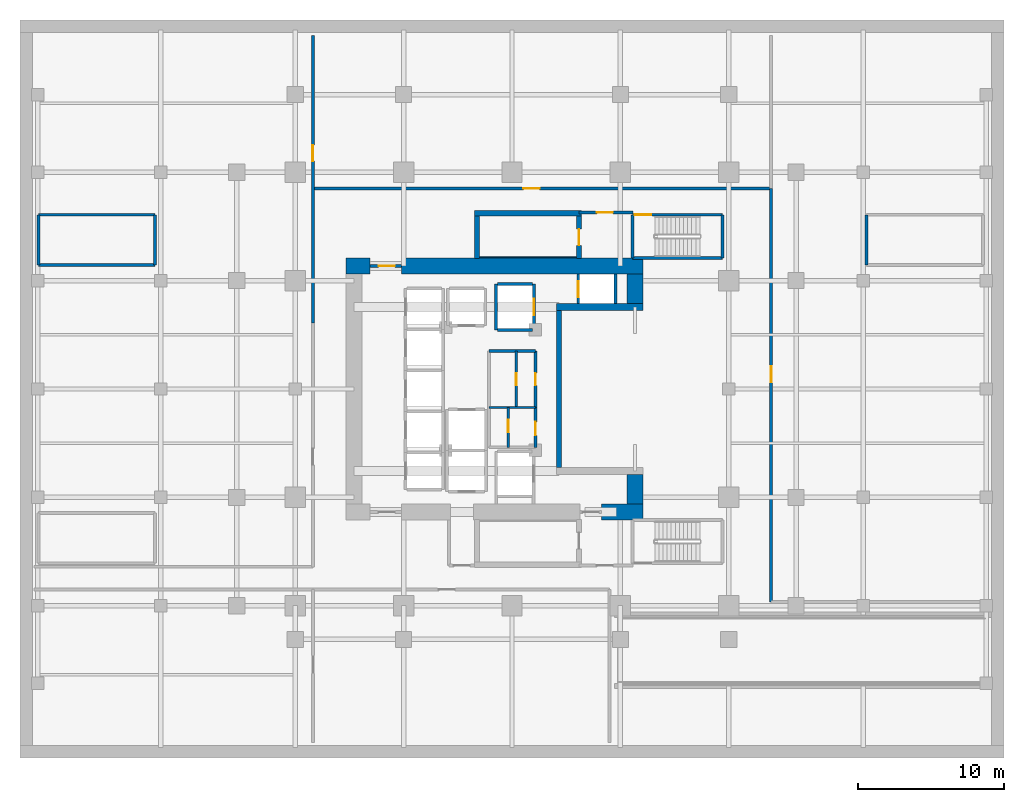
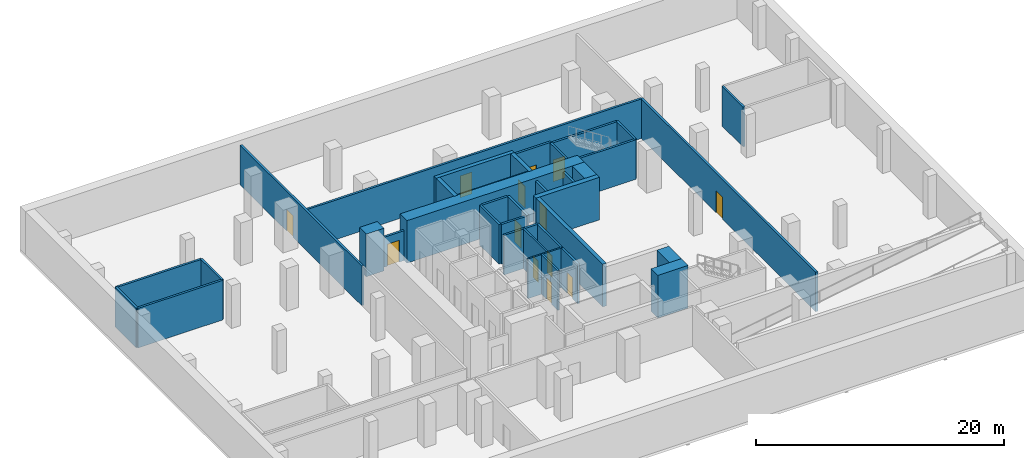
# One storey, part 5 of 7: 37 walls, 13 doors, 13 openings.
"""IFC4 building model written with IfcOpenShell, lengths in metres."""

from ifc_helpers import new_model, si_unit, direction, frame, frame_2d, origin, place, context, subcontext, project, spatial, rectangle, extrude, material, layer, layer_set, type_object, element, fill, save


model = new_model("IFC4")

# Units and contexts
model_context = context("Model", 3, precision=1e-05, world=origin(), true_north=direction((0.0, 1.0)))
body_context = subcontext(model_context, "Body", "Model", "MODEL_VIEW")
ifc_project = project(units=[si_unit("LENGTHUNIT", "METRE"), si_unit("AREAUNIT", "SQUARE_METRE"), si_unit("VOLUMEUNIT", "CUBIC_METRE"), si_unit("PLANEANGLEUNIT", "RADIAN"), si_unit("MASSUNIT", "GRAM", prefix="KILO")], contexts=[model_context])

# Site, building, storey
site_placement = place(None, origin())
site = spatial("IfcSite", under=ifc_project, at=site_placement, CompositionType="ELEMENT")
building_placement = place(site_placement, origin())
building = spatial("IfcBuilding", under=site, at=building_placement, Name="Khorvyn Point Tower", CompositionType="ELEMENT")
storey_placement = place(building_placement, frame((0.0, 0.0, -4.199951171875)))
storey = spatial("IfcBuildingStorey", under=building, at=storey_placement, Name="B1", CompositionType="ELEMENT", Elevation=-4.199951171875)

# Wall, opening, door
ifc_material_1 = material(Name="Concrete C35/45 masonry blockwork", Category="masonry")
ifc_layer_1 = layer(ifc_material_1, 0.199951171875)
ifc_layer_set_1 = layer_set([ifc_layer_1], Name="Concrete C35/45 Blockwork Plant Compartment Wall 200")
wall_type_1 = type_object("IfcWallType", Name="Concrete C35/45 Blockwork Plant Compartment Wall 200", PredefinedType="SOLIDWALL", material=ifc_layer_set_1)
wall_1_placement = place(storey_placement, frame((-13.60009765625, 4.5, 0.0), z_axis=(0.0, 0.0, 1.0), x_axis=(0.0, 1.0, 0.0)))
wall_1 = element("IfcWall", 1, at=wall_1_placement, inside=storey, type_object=wall_type_1, Name="Wall", PredefinedType="SOLIDWALL", context=body_context, shape_type="SweptSolid", body=[
    extrude(rectangle(XDim=19.64990234375, YDim=0.199951171875, at=frame_2d((9.824951171875, 0.0))), origin(), (0.0, 0.0, 1.0), 3.89990234375),
])
opening_1_placement = place(wall_1_placement, frame((11.062255859375, 0.0, 0.0)))
opening_1 = element("IfcOpeningElement", 2, at=opening_1_placement, cuts=wall_1, Name="Opening ID-FL90", PredefinedType="OPENING", context=body_context, shape_type="SweptSolid", body=[
    extrude(rectangle(XDim=1.10009765625, YDim=2.14990234375, at=frame_2d((0.550048828125, 1.074951171875))), frame((0.0, 0.10986328125, 0.0), z_axis=(0.0, -1.0, 0.0), x_axis=(1.0, 0.0, 0.0)), (0.0, 0.0, 1.0), 0.219970703125),
])
ifc_material_2 = material(Name="Galvanised powder-coated steel", Category="steel")
door_type_1 = type_object("IfcDoorType", Name="Fire-Rated Steel Lobby and Stair Door 1100x2150", OperationType="NOTDEFINED", PredefinedType="DOOR", material=ifc_material_2)
door_1_placement = place(opening_1_placement, origin())
door_1 = element("IfcDoor", 3, at=door_1_placement, inside=storey, type_object=door_type_1, Name="Door", OperationType="SINGLE_SWING_LEFT", OverallHeight=2.14990234375, OverallWidth=1.10009765625, PredefinedType="DOOR", context=body_context, shape_type="SweptSolid", body=[
    extrude(rectangle(XDim=1.10009765625, YDim=2.14990234375, at=frame_2d((0.550048828125, 1.074951171875))), frame((0.0, 0.02490234375, 0.0), z_axis=(0.0, -1.0, 0.0), x_axis=(1.0, 0.0, 0.0)), (0.0, 0.0, 1.0), 0.050048828125),
])
fill(opening_1, door_1)

wall_2_placement = place(storey_placement, frame((-13.60009765625, 13.699951171875, 0.0), z_axis=(0.0, 0.0, 1.0), x_axis=(1.0, 0.0, 0.0)))
wall_2 = element("IfcWall", 4, at=wall_2_placement, inside=storey, type_object=wall_type_1, Name="Wall", PredefinedType="SOLIDWALL", context=body_context, shape_type="SweptSolid", body=[
    extrude(rectangle(XDim=31.300048828125, YDim=0.199951171875, at=frame_2d((15.64990234375, 0.0))), origin(), (0.0, 0.0, 1.0), 3.89990234375),
])
opening_2_placement = place(wall_2_placement, frame((14.3798828125, 0.0, 0.0)))
opening_2 = element("IfcOpeningElement", 5, at=opening_2_placement, cuts=wall_2, Name="Opening ID-FL90", PredefinedType="OPENING", context=body_context, shape_type="SweptSolid", body=[
    extrude(rectangle(XDim=1.10009765625, YDim=2.14990234375, at=frame_2d((0.550048828125, 1.074951171875))), frame((0.0, 0.10986328125, 0.0), z_axis=(0.0, -1.0, 0.0), x_axis=(1.0, 0.0, 0.0)), (0.0, 0.0, 1.0), 0.219970703125),
])
door_2_placement = place(opening_2_placement, origin())
door_2 = element("IfcDoor", 6, at=door_2_placement, inside=storey, type_object=door_type_1, Name="Door", OperationType="SINGLE_SWING_RIGHT", OverallHeight=2.14990234375, OverallWidth=1.10009765625, PredefinedType="DOOR", context=body_context, shape_type="SweptSolid", body=[
    extrude(rectangle(XDim=1.10009765625, YDim=2.14990234375, at=frame_2d((0.550048828125, 1.074951171875))), frame((0.0, 0.02490234375, 0.0), z_axis=(0.0, -1.0, 0.0), x_axis=(1.0, 0.0, 0.0)), (0.0, 0.0, 1.0), 0.050048828125),
])
fill(opening_2, door_2)

wall_3_placement = place(storey_placement, frame((17.699951171875, -14.550048828125, 0.0), z_axis=(0.0, 0.0, 1.0), x_axis=(0.0, 1.0, 0.0)))
wall_3 = element("IfcWall", 7, at=wall_3_placement, inside=storey, type_object=wall_type_1, Name="Wall", PredefinedType="SOLIDWALL", context=body_context, shape_type="SweptSolid", body=[
    extrude(rectangle(XDim=28.25, YDim=0.199951171875, at=frame_2d((14.125, 0.0))), origin(), (0.0, 0.0, 1.0), 3.89990234375),
])
opening_3_placement = place(wall_3_placement, frame((15.005859375, 0.0, 0.0)))
opening_3 = element("IfcOpeningElement", 8, at=opening_3_placement, cuts=wall_3, Name="Opening ID-FL90", PredefinedType="OPENING", context=body_context, shape_type="SweptSolid", body=[
    extrude(rectangle(XDim=1.10009765625, YDim=2.14990234375, at=frame_2d((0.550048828125, 1.074951171875))), frame((0.0, 0.10986328125, 0.0), z_axis=(0.0, -1.0, 0.0), x_axis=(1.0, 0.0, 0.0)), (0.0, 0.0, 1.0), 0.219970703125),
])
door_3_placement = place(opening_3_placement, origin())
door_3 = element("IfcDoor", 9, at=door_3_placement, inside=storey, type_object=door_type_1, Name="Door", OperationType="SINGLE_SWING_LEFT", OverallHeight=2.14990234375, OverallWidth=1.10009765625, PredefinedType="DOOR", context=body_context, shape_type="SweptSolid", body=[
    extrude(rectangle(XDim=1.10009765625, YDim=2.14990234375, at=frame_2d((0.550048828125, 1.074951171875))), frame((0.0, 0.02490234375, 0.0), z_axis=(0.0, -1.0, 0.0), x_axis=(1.0, 0.0, 0.0)), (0.0, 0.0, 1.0), 0.050048828125),
])
fill(opening_3, door_3)

# Wall
ifc_material_3 = material(Name="Concrete C40/50", Category="concrete")
ifc_layer_2 = layer(ifc_material_3, 0.449951171875)
ifc_layer_set_2 = layer_set([ifc_layer_2], Name="Concrete C40/50 Core Shear Wall 450")
wall_type_2 = type_object("IfcWallType", Name="Concrete C40/50 Core Shear Wall 450", PredefinedType="SHEAR", material=ifc_layer_set_2)
wall_4_placement = place(storey_placement, frame((3.044921875, 5.60009765625, 0.0), z_axis=(0.0, 0.0, 1.0), x_axis=(1.0, 0.0, 0.0)))
element("IfcWall", 10, at=wall_4_placement, inside=storey, type_object=wall_type_2, Name="Wall", PredefinedType="SHEAR", context=body_context, shape_type="SweptSolid", body=[
    extrude(rectangle(XDim=5.905029296875, YDim=0.449951171875, at=frame_2d((2.95263671875, 0.0))), origin(), (0.0, 0.0, 1.0), 4.199951171875),
])

# Wall, opening, door
ifc_layer_3 = layer(ifc_material_3, 0.199951171875)
ifc_layer_set_3 = layer_set([ifc_layer_3], Name="Concrete C40/50 Fire-Lobby Compartment Wall 200")
wall_type_3 = type_object("IfcWallType", Name="Concrete C40/50 Fire-Lobby Compartment Wall 200", PredefinedType="SOLIDWALL", material=ifc_layer_set_3)
wall_5_placement = place(storey_placement, frame((4.580078125, 12.06005859375, 0.0), z_axis=(0.0, 0.0, 1.0), x_axis=(1.0, 0.0, 0.0)))
wall_5 = element("IfcWall", 11, at=wall_5_placement, inside=storey, type_object=wall_type_3, Name="Wall", PredefinedType="SOLIDWALL", context=body_context, shape_type="SweptSolid", body=[
    extrude(rectangle(XDim=3.699951171875, YDim=0.199951171875, at=frame_2d((1.85009765625, 0.0))), origin(), (0.0, 0.0, 1.0), 3.89990234375),
])
opening_4_placement = place(wall_5_placement, frame((1.21240234375, 0.0, 0.0)))
opening_4 = element("IfcOpeningElement", 12, at=opening_4_placement, cuts=wall_5, Name="Opening ID-FL90", PredefinedType="OPENING", context=body_context, shape_type="SweptSolid", body=[
    extrude(rectangle(XDim=1.10009765625, YDim=2.14990234375, at=frame_2d((0.550048828125, 1.074951171875))), frame((0.0, 0.10986328125, 0.0), z_axis=(0.0, -1.0, 0.0), x_axis=(1.0, 0.0, 0.0)), (0.0, 0.0, 1.0), 0.219970703125),
])
door_4_placement = place(opening_4_placement, origin())
door_4 = element("IfcDoor", 13, at=door_4_placement, inside=storey, type_object=door_type_1, Name="Door", OperationType="SINGLE_SWING_RIGHT", OverallHeight=2.14990234375, OverallWidth=1.10009765625, PredefinedType="DOOR", context=body_context, shape_type="SweptSolid", body=[
    extrude(rectangle(XDim=1.10009765625, YDim=2.14990234375, at=frame_2d((0.550048828125, 1.074951171875))), frame((0.0, 0.02490234375, 0.0), z_axis=(0.0, -1.0, 0.0), x_axis=(1.0, 0.0, 0.0)), (0.0, 0.0, 1.0), 0.050048828125),
])
fill(opening_4, door_4)

wall_6_placement = place(storey_placement, frame((-9.699951171875, 8.39990234375, 0.0), z_axis=(0.0, 0.0, 1.0), x_axis=(1.0, 0.0, 0.0)))
wall_6 = element("IfcWall", 14, at=wall_6_placement, inside=storey, type_object=wall_type_3, Name="Wall", PredefinedType="SOLIDWALL", context=body_context, shape_type="SweptSolid", body=[
    extrude(rectangle(XDim=2.14990234375, YDim=0.199951171875, at=frame_2d((1.074951171875, 0.0))), origin(), (0.0, 0.0, 1.0), 2.93994140625),
])
opening_5_placement = place(wall_6_placement, frame((0.597900390625, 0.0, 0.0)))
opening_5 = element("IfcOpeningElement", 15, at=opening_5_placement, cuts=wall_6, Name="Opening ID-FL90", PredefinedType="OPENING", context=body_context, shape_type="SweptSolid", body=[
    extrude(rectangle(XDim=1.10009765625, YDim=2.14990234375, at=frame_2d((0.550048828125, 1.074951171875))), frame((0.0, 0.10986328125, 0.0), z_axis=(0.0, -1.0, 0.0), x_axis=(1.0, 0.0, 0.0)), (0.0, 0.0, 1.0), 0.219970703125),
])
door_5_placement = place(opening_5_placement, origin())
door_5 = element("IfcDoor", 16, at=door_5_placement, inside=storey, type_object=door_type_1, Name="Door", OperationType="SINGLE_SWING_RIGHT", OverallHeight=2.14990234375, OverallWidth=1.10009765625, PredefinedType="DOOR", context=body_context, shape_type="SweptSolid", body=[
    extrude(rectangle(XDim=1.10009765625, YDim=2.14990234375, at=frame_2d((0.550048828125, 1.074951171875))), frame((0.0, 0.02490234375, 0.0), z_axis=(0.0, -1.0, 0.0), x_axis=(1.0, 0.0, 0.0)), (0.0, 0.0, 1.0), 0.050048828125),
])
fill(opening_5, door_5)

wall_7_placement = place(storey_placement, frame((1.610107421875, -3.97998046875, 0.0), z_axis=(0.0, 0.0, 1.0), x_axis=(0.0, 1.0, 0.0)))
wall_7 = element("IfcWall", 17, at=wall_7_placement, inside=storey, type_object=wall_type_3, Name="Wall", PredefinedType="SOLIDWALL", context=body_context, shape_type="SweptSolid", body=[
    extrude(rectangle(XDim=2.708984375, YDim=0.199951171875, at=frame_2d((1.3544921875, 0.0))), origin(), (0.0, 0.0, 1.0), 3.89990234375),
])
opening_6_placement = place(wall_7_placement, frame((0.81298828125, 0.0, 0.0)))
opening_6 = element("IfcOpeningElement", 18, at=opening_6_placement, cuts=wall_7, Name="Opening ID-RS60", PredefinedType="OPENING", context=body_context, shape_type="SweptSolid", body=[
    extrude(rectangle(XDim=0.919921875, YDim=2.10009765625, at=frame_2d((0.4599609375, 1.050048828125))), frame((0.0, 0.10986328125, 0.0), z_axis=(0.0, -1.0, 0.0), x_axis=(1.0, 0.0, 0.0)), (0.0, 0.0, 1.0), 0.219970703125),
])
door_type_2 = type_object("IfcDoorType", Name="Fire-Rated Riser and Store Steel Door 920x2100", OperationType="NOTDEFINED", PredefinedType="DOOR", material=ifc_material_2)
door_6_placement = place(opening_6_placement, origin())
door_6 = element("IfcDoor", 19, at=door_6_placement, inside=storey, type_object=door_type_2, Name="Door", OperationType="SINGLE_SWING_RIGHT", OverallHeight=2.10009765625, OverallWidth=0.919921875, PredefinedType="DOOR", context=body_context, shape_type="SweptSolid", body=[
    extrude(rectangle(XDim=0.919921875, YDim=2.10009765625, at=frame_2d((0.4599609375, 1.050048828125))), frame((0.0, 0.02490234375, 0.0), z_axis=(0.0, -1.0, 0.0), x_axis=(1.0, 0.0, 0.0)), (0.0, 0.0, 1.0), 0.050048828125),
])
fill(opening_6, door_6)

wall_8_placement = place(storey_placement, frame((1.610107421875, -1.27099609375, 0.0), z_axis=(0.0, 0.0, 1.0), x_axis=(0.0, 1.0, 0.0)))
wall_8 = element("IfcWall", 20, at=wall_8_placement, inside=storey, type_object=wall_type_3, Name="Wall", PredefinedType="SOLIDWALL", context=body_context, shape_type="SweptSolid", body=[
    extrude(rectangle(XDim=3.87109375, YDim=0.199951171875, at=frame_2d((1.935546875, 0.0))), origin(), (0.0, 0.0, 1.0), 3.89990234375),
])
opening_7_placement = place(wall_8_placement, frame((1.510498046875, 0.0, 0.0)))
opening_7 = element("IfcOpeningElement", 21, at=opening_7_placement, cuts=wall_8, Name="Opening ID-WC85", PredefinedType="OPENING", context=body_context, shape_type="SweptSolid", body=[
    extrude(rectangle(XDim=0.85009765625, YDim=2.10009765625, at=frame_2d((0.425048828125, 1.050048828125))), frame((0.0, 0.10986328125, 0.0), z_axis=(0.0, -1.0, 0.0), x_axis=(1.0, 0.0, 0.0)), (0.0, 0.0, 1.0), 0.219970703125),
])
ifc_material_4 = material(Name="High-pressure laminate on moisture-resistant core", Category="wood")
door_type_3 = type_object("IfcDoorType", Name="Moisture-Resistant Accessible Washroom Door 850x2100", OperationType="NOTDEFINED", PredefinedType="DOOR", material=ifc_material_4)
door_7_placement = place(opening_7_placement, origin())
door_7 = element("IfcDoor", 22, at=door_7_placement, inside=storey, type_object=door_type_3, Name="Door", OperationType="SINGLE_SWING_LEFT", OverallHeight=2.10009765625, OverallWidth=0.85009765625, PredefinedType="DOOR", context=body_context, shape_type="SweptSolid", body=[
    extrude(rectangle(XDim=0.85009765625, YDim=2.10009765625, at=frame_2d((0.425048828125, 1.050048828125))), frame((0.0, 0.02490234375, 0.0), z_axis=(0.0, -1.0, 0.0), x_axis=(1.0, 0.0, 0.0)), (0.0, 0.0, 1.0), 0.050048828125),
])
fill(opening_7, door_7)

# Walls
wall_9_placement = place(storey_placement, frame((-1.580078125, 2.60009765625, 0.0), z_axis=(0.0, 0.0, 1.0), x_axis=(1.0, 0.0, 0.0)))
element("IfcWall", 23, at=wall_9_placement, inside=storey, type_object=wall_type_3, Name="Wall", PredefinedType="SOLIDWALL", context=body_context, shape_type="SweptSolid", body=[
    extrude(rectangle(XDim=3.190185546875, YDim=0.199951171875, at=frame_2d((1.59521484375, 0.0))), origin(), (0.0, 0.0, 1.0), 3.89990234375),
])
ifc_layer_4 = layer(ifc_material_3, 0.25)
ifc_layer_set_4 = layer_set([ifc_layer_4], Name="Concrete C40/50 Stair Inner Cheek Structural Wall 250")
wall_type_4 = type_object("IfcWallType", Name="Concrete C40/50 Stair Inner Cheek Structural Wall 250", PredefinedType="SHEAR", material=ifc_layer_set_4)
wall_10_placement = place(storey_placement, frame((-2.199951171875, 8.987548828125, 0.0), z_axis=(0.0, 0.0, 1.0), x_axis=(1.0, 0.0, 0.0)))
element("IfcWall", 24, at=wall_10_placement, inside=storey, type_object=wall_type_4, Name="Wall", PredefinedType="SHEAR", context=body_context, shape_type="SweptSolid", body=[
    extrude(rectangle(XDim=6.599853515625, YDim=0.074951171875, at=frame_2d((3.2998046875, 0.0))), origin(), (0.0, 0.0, 1.0), 4.199951171875),
])
ifc_layer_5 = layer(ifc_material_3, 0.35009765625)
ifc_layer_set_5 = layer_set([ifc_layer_5], Name="Concrete C40/50 Stair Shaft Structural Wall 350")
wall_type_5 = type_object("IfcWallType", Name="Concrete C40/50 Stair Shaft Structural Wall 350", PredefinedType="SHEAR", material=ifc_layer_set_5)
wall_11_placement = place(storey_placement, frame((3.219970703125, -5.375, 0.0), z_axis=(0.0, 0.0, 1.0), x_axis=(0.0, 1.0, 0.0)))
element("IfcWall", 25, at=wall_11_placement, inside=storey, type_object=wall_type_5, Name="Wall", PredefinedType="SHEAR", context=body_context, shape_type="SweptSolid", body=[
    extrude(rectangle(XDim=10.75, YDim=0.35009765625, at=frame_2d((5.375, 0.0))), origin(), (0.0, 0.0, 1.0), 4.199951171875),
])
wall_12_placement = place(storey_placement, frame((-2.554931640625, 12.0, 0.0), z_axis=(0.0, 0.0, 1.0), x_axis=(1.0, 0.0, 0.0)))
element("IfcWall", 26, at=wall_12_placement, inside=storey, type_object=wall_type_5, Name="B1 ST-02 North Shaft Wall", PredefinedType="SHEAR", context=body_context, shape_type="SweptSolid", body=[
    extrude(rectangle(XDim=7.309814453125, YDim=0.35009765625, at=frame_2d((3.65478515625, 0.0))), origin(), (0.0, 0.0, 1.0), 4.199951171875),
])
wall_13_placement = place(storey_placement, frame((-2.3798828125, 8.89990234375, 0.0), z_axis=(0.0, 0.0, 1.0), x_axis=(0.0, 1.0, 0.0)))
element("IfcWall", 27, at=wall_13_placement, inside=storey, type_object=wall_type_5, Name="B1 ST-02 West Shaft Wall", PredefinedType="SHEAR", context=body_context, shape_type="SweptSolid", body=[
    extrude(rectangle(XDim=2.925048828125, YDim=0.35009765625, at=frame_2d((1.46240234375, 0.0))), origin(), (0.0, 0.0, 1.0), 4.199951171875),
])

# Wall, opening, door
wall_14_placement = place(storey_placement, frame((4.580078125, 11.824951171875, 0.0), z_axis=(0.0, 0.0, 1.0), x_axis=(0.0, -1.0, 0.0)))
wall_14 = element("IfcWall", 28, at=wall_14_placement, inside=storey, type_object=wall_type_5, Name="B1 ST-02 East Landing Door Wall", PredefinedType="SHEAR", context=body_context, shape_type="SweptSolid", body=[
    extrude(rectangle(XDim=2.925048828125, YDim=0.35009765625, at=frame_2d((1.46240234375, 0.0))), origin(), (0.0, 0.0, 1.0), 4.199951171875),
])
opening_8_placement = place(wall_14_placement, frame((0.91259765625, 0.0, 0.0)))
opening_8 = element("IfcOpeningElement", 29, at=opening_8_placement, cuts=wall_14, Name="Opening ID-FL90", PredefinedType="OPENING", context=body_context, shape_type="SweptSolid", body=[
    extrude(rectangle(XDim=1.10009765625, YDim=2.14990234375, at=frame_2d((0.550048828125, 1.074951171875))), frame((0.0, 0.18505859375, 0.0), z_axis=(0.0, -1.0, 0.0), x_axis=(1.0, 0.0, 0.0)), (0.0, 0.0, 1.0), 0.3701171875),
])
door_8_placement = place(opening_8_placement, origin())
door_8 = element("IfcDoor", 30, at=door_8_placement, inside=storey, type_object=door_type_1, Name="B1 ST-02 Smokeproof Landing Door", OperationType="SINGLE_SWING_LEFT", OverallHeight=2.14990234375, OverallWidth=1.10009765625, PredefinedType="DOOR", context=body_context, shape_type="SweptSolid", body=[
    extrude(rectangle(XDim=1.10009765625, YDim=2.14990234375, at=frame_2d((0.550048828125, 1.074951171875))), frame((0.0, 0.02490234375, 0.0), z_axis=(0.0, -1.0, 0.0), x_axis=(1.0, 0.0, 0.0)), (0.0, 0.0, 1.0), 0.050048828125),
])
fill(opening_8, door_8)

# Wall
ifc_layer_6 = layer(ifc_material_3, 0.199951171875)
ifc_layer_set_6 = layer_set([ifc_layer_6], Name="Concrete C40/50 Structural Hoistway and Stair Shaft Wall 200")
wall_type_6 = type_object("IfcWallType", Name="Concrete C40/50 Structural Hoistway and Stair Shaft Wall 200", PredefinedType="SHEAR", material=ifc_layer_set_6)
wall_15_placement = place(storey_placement, frame((-1.10009765625, 4.02490234375, 0.0), z_axis=(0.0, 0.0, 1.0), x_axis=(0.0, 1.0, 0.0)))
element("IfcWall", 31, at=wall_15_placement, inside=storey, type_object=wall_type_6, Name="Wall", PredefinedType="SHEAR", context=body_context, shape_type="SweptSolid", body=[
    extrude(rectangle(XDim=3.150146484375, YDim=0.199951171875, at=frame_2d((1.5751953125, 0.0))), origin(), (0.0, 0.0, 1.0), 3.89990234375),
])

# Wall, opening, door
wall_16_placement = place(storey_placement, frame((1.5, 4.02490234375, 0.0), z_axis=(0.0, 0.0, 1.0), x_axis=(0.0, 1.0, 0.0)))
wall_16 = element("IfcWall", 32, at=wall_16_placement, inside=storey, type_object=wall_type_6, Name="Wall", PredefinedType="SHEAR", context=body_context, shape_type="SweptSolid", body=[
    extrude(rectangle(XDim=3.150146484375, YDim=0.199951171875, at=frame_2d((1.5751953125, 0.0))), origin(), (0.0, 0.0, 1.0), 3.89990234375),
])
opening_9_placement = place(wall_16_placement, frame((1.02490234375, 0.0, 0.0)))
opening_9 = element("IfcOpeningElement", 33, at=opening_9_placement, cuts=wall_16, Name="Opening LD-1122", PredefinedType="OPENING", context=body_context, shape_type="SweptSolid", body=[
    extrude(rectangle(XDim=1.10009765625, YDim=2.199951171875, at=frame_2d((0.550048828125, 1.10009765625))), frame((0.0, 0.10986328125, 0.0), z_axis=(0.0, -1.0, 0.0), x_axis=(1.0, 0.0, 0.0)), (0.0, 0.0, 1.0), 0.219970703125),
])
ifc_material_5 = material(Name="Stainless steel 1.4301", Category="steel")
door_type_4 = type_object("IfcDoorType", Name="Stainless Steel Automatic Sliding Lift Landing Door 1100x2200", OperationType="SLIDING_TO_LEFT", PredefinedType="DOOR", material=ifc_material_5)
door_9_placement = place(opening_9_placement, origin())
door_9 = element("IfcDoor", 34, at=door_9_placement, inside=storey, type_object=door_type_4, Name="B1 SV-01 Sliding Lift Landing Door", OperationType="SLIDING_TO_LEFT", OverallHeight=2.199951171875, OverallWidth=1.10009765625, PredefinedType="DOOR", context=body_context, shape_type="SweptSolid", body=[
    extrude(rectangle(XDim=1.10009765625, YDim=2.199951171875, at=frame_2d((0.550048828125, 1.10009765625))), frame((0.0, 0.02490234375, 0.0), z_axis=(0.0, -1.0, 0.0), x_axis=(1.0, 0.0, 0.0)), (0.0, 0.0, 1.0), 0.050048828125),
])
fill(opening_9, door_9)

# Walls
for number, where, z_axis, x_axis, name in (
    (35, (-1.0, 4.02490234375, 0.0), (0.0, 0.0, 1.0), (1.0, 0.0, 0.0), "Wall"),
    (36, (-1.0, 7.175048828125, 0.0), (0.0, 0.0, 1.0), (1.0, 0.0, 0.0), "Wall"),
):
    element("IfcWall", number, at=place(storey_placement, frame(where, z_axis=z_axis, x_axis=x_axis)), inside=storey, type_object=wall_type_6, Name=name, PredefinedType="SHEAR", context=body_context, shape_type="SweptSolid", body=[
        extrude(rectangle(XDim=2.39990234375, YDim=0.199951171875, at=frame_2d((1.199951171875, 0.0))), origin(), (0.0, 0.0, 1.0), 3.89990234375),
    ])

# Wall, opening, door
wall_17_placement = place(storey_placement, frame((4.52490234375, 5.824951171875, 0.0), z_axis=(0.0, 0.0, 1.0), x_axis=(0.0, 1.0, 0.0)))
wall_17 = element("IfcWall", 37, at=wall_17_placement, inside=storey, type_object=wall_type_6, Name="Wall", PredefinedType="SHEAR", context=body_context, shape_type="SweptSolid", body=[
    extrude(rectangle(XDim=2.025146484375, YDim=0.199951171875, at=frame_2d((1.0126953125, 0.0))), origin(), (0.0, 0.0, 1.0), 3.89990234375),
])
opening_10_placement = place(wall_17_placement, frame((0.425048828125, 0.0, 0.0)))
opening_10 = element("IfcOpeningElement", 38, at=opening_10_placement, cuts=wall_17, Name="Opening LD-1122", PredefinedType="OPENING", context=body_context, shape_type="SweptSolid", body=[
    extrude(rectangle(XDim=1.10009765625, YDim=2.199951171875, at=frame_2d((0.550048828125, 1.10009765625))), frame((0.0, 0.10986328125, 0.0), z_axis=(0.0, -1.0, 0.0), x_axis=(1.0, 0.0, 0.0)), (0.0, 0.0, 1.0), 0.219970703125),
])
door_10_placement = place(opening_10_placement, origin())
door_10 = element("IfcDoor", 39, at=door_10_placement, inside=storey, type_object=door_type_4, Name="B1 FF-02 Sliding Lift Landing Door", OperationType="SLIDING_TO_LEFT", OverallHeight=2.199951171875, OverallWidth=1.10009765625, PredefinedType="DOOR", context=body_context, shape_type="SweptSolid", body=[
    extrude(rectangle(XDim=1.10009765625, YDim=2.199951171875, at=frame_2d((0.550048828125, 1.10009765625))), frame((0.0, 0.02490234375, 0.0), z_axis=(0.0, -1.0, 0.0), x_axis=(1.0, 0.0, 0.0)), (0.0, 0.0, 1.0), 0.050048828125),
])
fill(opening_10, door_10)

# Walls
wall_18_placement = place(storey_placement, frame((7.074951171875, 5.824951171875, 0.0), z_axis=(0.0, 0.0, 1.0), x_axis=(0.0, 1.0, 0.0)))
element("IfcWall", 40, at=wall_18_placement, inside=storey, type_object=wall_type_6, Name="Wall", PredefinedType="SHEAR", context=body_context, shape_type="SweptSolid", body=[
    extrude(rectangle(XDim=2.025146484375, YDim=0.199951171875, at=frame_2d((1.0126953125, 0.0))), origin(), (0.0, 0.0, 1.0), 3.89990234375),
])
for number, where, z_axis, x_axis, name in (
    (41, (8.219970703125, 8.93994140625, 0.0), (0.0, 0.0, 1.0), (0.0, 1.0, 0.0), "Wall"),
    (42, (14.3798828125, 11.89990234375, 0.0), (0.0, 0.0, 1.0), (0.0, -1.0, 0.0), "Wall"),
):
    element("IfcWall", number, at=place(storey_placement, frame(where, z_axis=z_axis, x_axis=x_axis)), inside=storey, type_object=wall_type_6, Name=name, PredefinedType="SHEAR", context=body_context, shape_type="SweptSolid", body=[
        extrude(rectangle(XDim=2.9599609375, YDim=0.199951171875, at=frame_2d((1.47998046875, 0.0))), origin(), (0.0, 0.0, 1.0), 3.89990234375),
    ])
wall_19_placement = place(storey_placement, frame((14.3798828125, 8.93994140625, 0.0), z_axis=(0.0, 0.0, 1.0), x_axis=(-1.0, 0.0, 0.0)))
element("IfcWall", 43, at=wall_19_placement, inside=storey, type_object=wall_type_6, Name="Wall", PredefinedType="SHEAR", context=body_context, shape_type="SweptSolid", body=[
    extrude(rectangle(XDim=6.159912109375, YDim=0.199951171875, at=frame_2d((3.080078125, 0.0))), origin(), (0.0, 0.0, 1.0), 3.89990234375),
])

# Wall, opening, door
wall_20_placement = place(storey_placement, frame((8.219970703125, 11.89990234375, 0.0), z_axis=(0.0, 0.0, 1.0), x_axis=(1.0, 0.0, 0.0)))
wall_20 = element("IfcWall", 44, at=wall_20_placement, inside=storey, type_object=wall_type_6, Name="Wall", PredefinedType="SHEAR", context=body_context, shape_type="SweptSolid", body=[
    extrude(rectangle(XDim=6.159912109375, YDim=0.199951171875, at=frame_2d((3.080078125, 0.0))), origin(), (0.0, 0.0, 1.0), 3.89990234375),
])
opening_11_placement = place(wall_20_placement, frame((0.179931640625, 0.0, 0.0)))
opening_11 = element("IfcOpeningElement", 45, at=opening_11_placement, cuts=wall_20, Name="Opening ID-FL90", PredefinedType="OPENING", context=body_context, shape_type="SweptSolid", body=[
    extrude(rectangle(XDim=1.10009765625, YDim=2.14990234375, at=frame_2d((0.550048828125, 1.074951171875))), frame((0.0, 0.10986328125, 0.0), z_axis=(0.0, -1.0, 0.0), x_axis=(1.0, 0.0, 0.0)), (0.0, 0.0, 1.0), 0.219970703125),
])
door_11_placement = place(opening_11_placement, origin())
door_11 = element("IfcDoor", 46, at=door_11_placement, inside=storey, type_object=door_type_1, Name="B1 ST-B2 Smokeproof Landing Door", OperationType="SINGLE_SWING_LEFT", OverallHeight=2.14990234375, OverallWidth=1.10009765625, PredefinedType="DOOR", context=body_context, shape_type="SweptSolid", body=[
    extrude(rectangle(XDim=1.10009765625, YDim=2.14990234375, at=frame_2d((0.550048828125, 1.074951171875))), frame((0.0, 0.02490234375, 0.0), z_axis=(0.0, -1.0, 0.0), x_axis=(1.0, 0.0, 0.0)), (0.0, 0.0, 1.0), 0.050048828125),
])
fill(opening_11, door_11)

# Walls
for number, where, z_axis, x_axis, name in (
    (47, (-32.330078125, 8.47998046875, 0.0), (0.0, 0.0, 1.0), (0.0, 1.0, 0.0), "Wall"),
    (48, (-24.3701171875, 11.89990234375, 0.0), (0.0, 0.0, 1.0), (0.0, -1.0, 0.0), "Wall"),
):
    element("IfcWall", number, at=place(storey_placement, frame(where, z_axis=z_axis, x_axis=x_axis)), inside=storey, type_object=wall_type_6, Name=name, PredefinedType="SHEAR", context=body_context, shape_type="SweptSolid", body=[
        extrude(rectangle(XDim=3.419921875, YDim=0.199951171875, at=frame_2d((1.7099609375, 0.0))), origin(), (0.0, 0.0, 1.0), 3.89990234375),
    ])
for number, where, z_axis, x_axis, name in (
    (49, (-24.3701171875, 8.47998046875, 0.0), (0.0, 0.0, 1.0), (-1.0, 0.0, 0.0), "Wall"),
    (50, (-32.330078125, 11.89990234375, 0.0), (0.0, 0.0, 1.0), (1.0, 0.0, 0.0), "Wall"),
):
    element("IfcWall", number, at=place(storey_placement, frame(where, z_axis=z_axis, x_axis=x_axis)), inside=storey, type_object=wall_type_6, Name=name, PredefinedType="SHEAR", context=body_context, shape_type="SweptSolid", body=[
        extrude(rectangle(XDim=7.9599609375, YDim=0.199951171875, at=frame_2d((3.97998046875, 0.0))), origin(), (0.0, 0.0, 1.0), 3.89990234375),
    ])
wall_21_placement = place(storey_placement, frame((24.219970703125, 8.47998046875, 0.0), z_axis=(0.0, 0.0, 1.0), x_axis=(0.0, 1.0, 0.0)))
element("IfcWall", 51, at=wall_21_placement, inside=storey, type_object=wall_type_6, Name="Wall", PredefinedType="SHEAR", context=body_context, shape_type="SweptSolid", body=[
    extrude(rectangle(XDim=3.419921875, YDim=0.199951171875, at=frame_2d((1.7099609375, 0.0))), origin(), (0.0, 0.0, 1.0), 3.89990234375),
])
ifc_material_6 = material(Name="Concrete C50/60", Category="concrete")
ifc_layer_7 = layer(ifc_material_6, 1.10009765625)
ifc_layer_set_7 = layer_set([ifc_layer_7], Name="Concrete C50/60 Core Shear Wall 1100")
wall_type_7 = type_object("IfcWallType", Name="Concrete C50/60 Core Shear Wall 1100", PredefinedType="SHEAR", material=ifc_layer_set_7)
wall_22_placement = place(storey_placement, frame((6.1201171875, -8.39990234375, 0.0), z_axis=(0.0, 0.0, 1.0), x_axis=(1.0, 0.0, 0.0)))
element("IfcWall", 52, at=wall_22_placement, inside=storey, type_object=wall_type_7, Name="Wall", PredefinedType="SHEAR", context=body_context, shape_type="SweptSolid", body=[
    extrude(rectangle(XDim=2.829833984375, YDim=1.10009765625, at=frame_2d((1.4150390625, 0.0))), origin(), (0.0, 0.0, 1.0), 4.199951171875),
])
wall_23_placement = place(storey_placement, frame((-11.35009765625, 8.39990234375, 0.0), z_axis=(0.0, 0.0, 1.0), x_axis=(1.0, 0.0, 0.0)))
element("IfcWall", 53, at=wall_23_placement, inside=storey, type_object=wall_type_7, Name="Wall", PredefinedType="SHEAR", context=body_context, shape_type="SweptSolid", body=[
    extrude(rectangle(XDim=1.650146484375, YDim=1.10009765625, at=frame_2d((0.8251953125, 0.0))), origin(), (0.0, 0.0, 1.0), 4.199951171875),
])
wall_24_placement = place(storey_placement, frame((-7.550048828125, 8.39990234375, 0.0), z_axis=(0.0, 0.0, 1.0), x_axis=(1.0, 0.0, 0.0)))
element("IfcWall", 54, at=wall_24_placement, inside=storey, type_object=wall_type_7, Name="Wall", PredefinedType="SHEAR", context=body_context, shape_type="SweptSolid", body=[
    extrude(rectangle(XDim=16.5, YDim=1.10009765625, at=frame_2d((8.25, 0.0))), origin(), (0.0, 0.0, 1.0), 4.199951171875),
])
for number, where, z_axis, x_axis, name in (
    (55, (8.39990234375, -7.85009765625, 0.0), (0.0, 0.0, 1.0), (0.0, 1.0, 0.0), "Wall"),
    (56, (8.39990234375, 5.824951171875, 0.0), (0.0, 0.0, 1.0), (0.0, 1.0, 0.0), "Wall"),
):
    element("IfcWall", number, at=place(storey_placement, frame(where, z_axis=z_axis, x_axis=x_axis)), inside=storey, type_object=wall_type_7, Name=name, PredefinedType="SHEAR", context=body_context, shape_type="SweptSolid", body=[
        extrude(rectangle(XDim=2.025146484375, YDim=1.10009765625, at=frame_2d((1.0126953125, 0.0))), origin(), (0.0, 0.0, 1.0), 4.199951171875),
    ])

# Wall, opening, door
ifc_material_7 = material(Name="Moisture-resistant gypsum and cement board", Category="gypsum")
ifc_layer_8 = layer(ifc_material_7, 0.14990234375)
ifc_layer_set_8 = layer_set([ifc_layer_8], Name="Moisture-Resistant Wet-Room Partition Wall 150")
wall_type_8 = type_object("IfcWallType", Name="Moisture-Resistant Wet-Room Partition Wall 150", PredefinedType="PARTITIONING", material=ifc_layer_set_8)
wall_25_placement = place(storey_placement, frame((-0.25, -3.97998046875, 0.0), z_axis=(0.0, 0.0, 1.0), x_axis=(0.0, 1.0, 0.0)))
wall_25 = element("IfcWall", 57, at=wall_25_placement, inside=storey, type_object=wall_type_8, Name="Wall", PredefinedType="PARTITIONING", context=body_context, shape_type="SweptSolid", body=[
    extrude(rectangle(XDim=2.708984375, YDim=0.14990234375, at=frame_2d((1.3544921875, 0.0))), origin(), (0.0, 0.0, 1.0), 3.89990234375),
])
opening_12_placement = place(wall_25_placement, frame((1.014892578125, 0.0, 0.0)))
opening_12 = element("IfcOpeningElement", 58, at=opening_12_placement, cuts=wall_25, Name="Opening ID-WC85", PredefinedType="OPENING", context=body_context, shape_type="SweptSolid", body=[
    extrude(rectangle(XDim=0.85009765625, YDim=2.10009765625, at=frame_2d((0.425048828125, 1.050048828125))), frame((0.0, 0.0849609375, 0.0), z_axis=(0.0, -1.0, 0.0), x_axis=(1.0, 0.0, 0.0)), (0.0, 0.0, 1.0), 0.169921875),
])
door_12_placement = place(opening_12_placement, origin())
door_12 = element("IfcDoor", 59, at=door_12_placement, inside=storey, type_object=door_type_3, Name="Door", OperationType="SINGLE_SWING_RIGHT", OverallHeight=2.10009765625, OverallWidth=0.85009765625, PredefinedType="DOOR", context=body_context, shape_type="SweptSolid", body=[
    extrude(rectangle(XDim=0.85009765625, YDim=2.10009765625, at=frame_2d((0.425048828125, 1.050048828125))), frame((0.0, 0.02490234375, 0.0), z_axis=(0.0, -1.0, 0.0), x_axis=(1.0, 0.0, 0.0)), (0.0, 0.0, 1.0), 0.050048828125),
])
fill(opening_12, door_12)

wall_26_placement = place(storey_placement, frame((0.2900390625, -1.27099609375, 0.0), z_axis=(0.0, 0.0, 1.0), x_axis=(0.0, 1.0, 0.0)))
wall_26 = element("IfcWall", 60, at=wall_26_placement, inside=storey, type_object=wall_type_8, Name="Wall", PredefinedType="PARTITIONING", context=body_context, shape_type="SweptSolid", body=[
    extrude(rectangle(XDim=3.87109375, YDim=0.14990234375, at=frame_2d((1.935546875, 0.0))), origin(), (0.0, 0.0, 1.0), 3.89990234375),
])
opening_13_placement = place(wall_26_placement, frame((1.510498046875, 0.0, 0.0)))
opening_13 = element("IfcOpeningElement", 61, at=opening_13_placement, cuts=wall_26, Name="Opening ID-WC85", PredefinedType="OPENING", context=body_context, shape_type="SweptSolid", body=[
    extrude(rectangle(XDim=0.85009765625, YDim=2.10009765625, at=frame_2d((0.425048828125, 1.050048828125))), frame((0.0, 0.0849609375, 0.0), z_axis=(0.0, -1.0, 0.0), x_axis=(1.0, 0.0, 0.0)), (0.0, 0.0, 1.0), 0.169921875),
])
door_13_placement = place(opening_13_placement, origin())
door_13 = element("IfcDoor", 62, at=door_13_placement, inside=storey, type_object=door_type_3, Name="Door", OperationType="SINGLE_SWING_LEFT", OverallHeight=2.10009765625, OverallWidth=0.85009765625, PredefinedType="DOOR", context=body_context, shape_type="SweptSolid", body=[
    extrude(rectangle(XDim=0.85009765625, YDim=2.10009765625, at=frame_2d((0.425048828125, 1.050048828125))), frame((0.0, 0.02490234375, 0.0), z_axis=(0.0, -1.0, 0.0), x_axis=(1.0, 0.0, 0.0)), (0.0, 0.0, 1.0), 0.050048828125),
])
fill(opening_13, door_13)

# Wall
wall_27_placement = place(storey_placement, frame((-1.580078125, -1.27099609375, 0.0), z_axis=(0.0, 0.0, 1.0), x_axis=(1.0, 0.0, 0.0)))
element("IfcWall", 63, at=wall_27_placement, inside=storey, type_object=wall_type_8, Name="Wall", PredefinedType="PARTITIONING", context=body_context, shape_type="SweptSolid", body=[
    extrude(rectangle(XDim=3.190185546875, YDim=0.14990234375, at=frame_2d((1.59521484375, 0.0))), origin(), (0.0, 0.0, 1.0), 3.89990234375),
])

save(model, "model.ifc")
